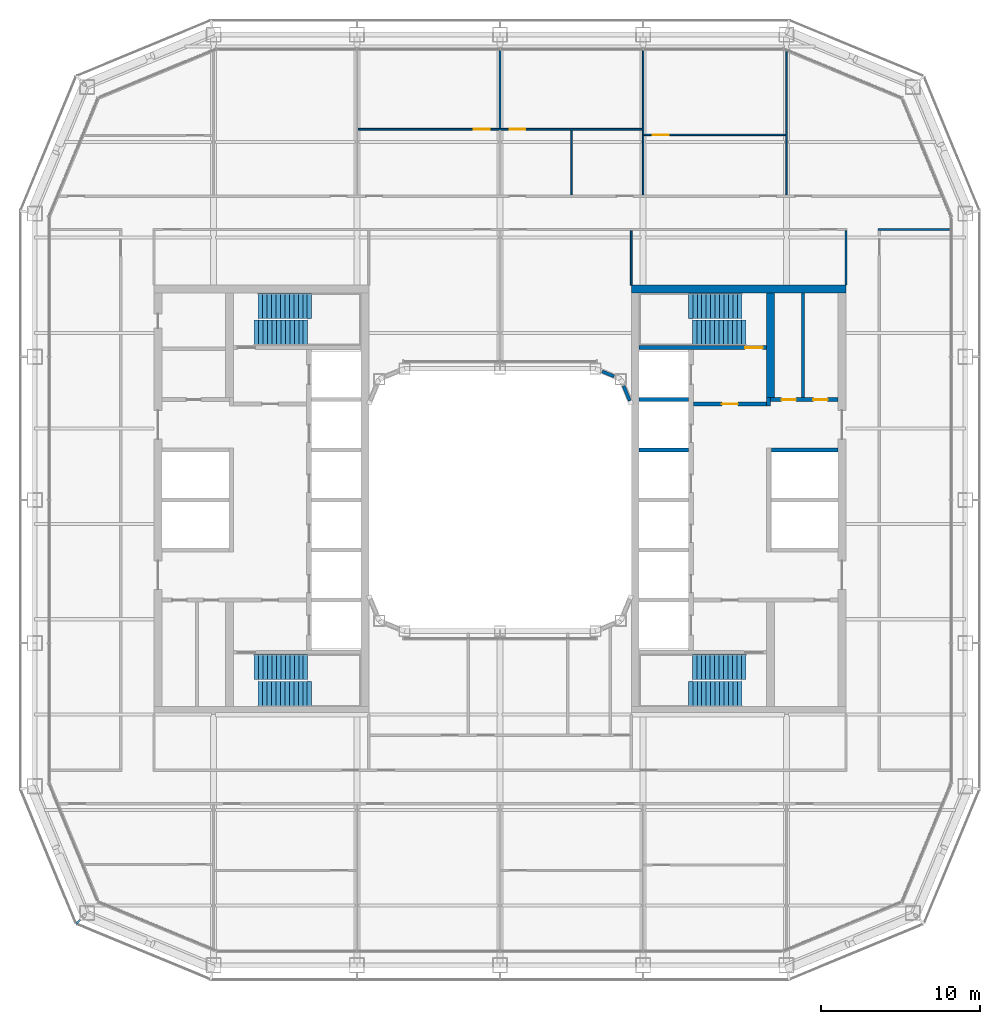
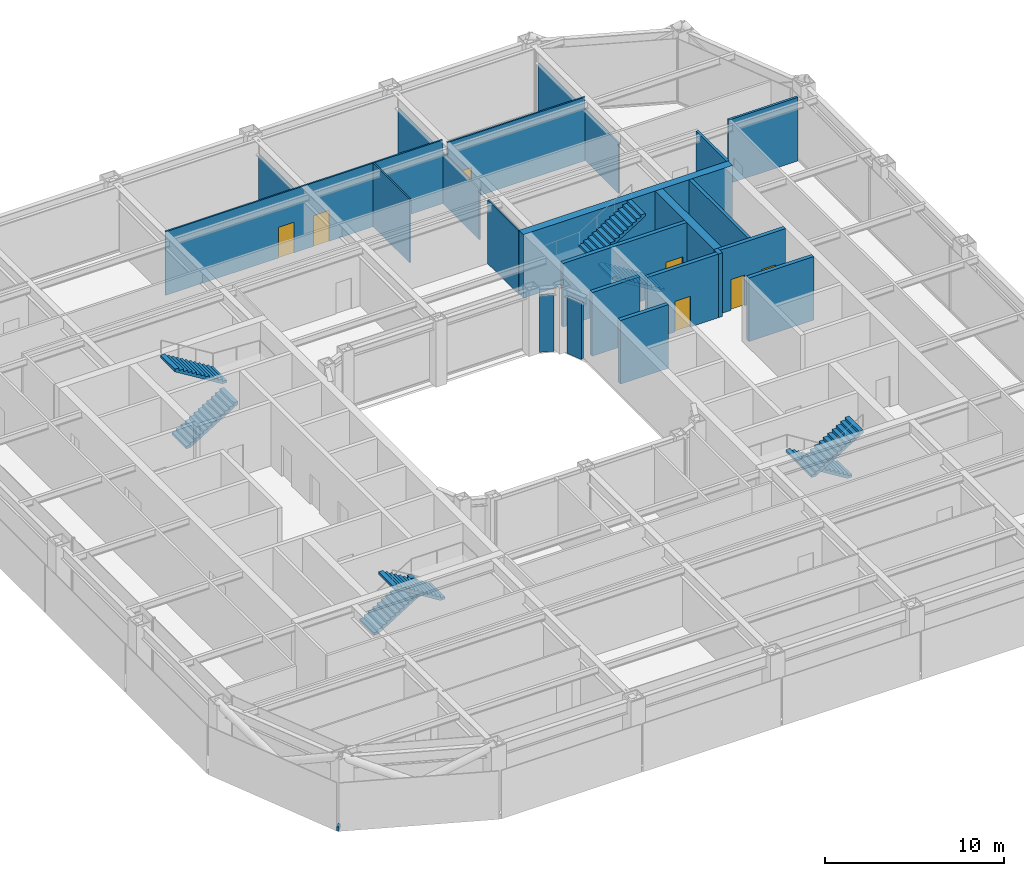
# One storey, part 14 of 21: 21 walls, 8 stair flights, 7 doors, 1 discrete accessory, 7 openings, 4 elements without a shape of their own.
"""IFC4 building model written with IfcOpenShell, lengths in metres."""

from ifc_helpers import new_model, si_unit, direction, frame, frame_2d, origin, origin_2d, place, context, subcontext, project, spatial, polyline, rectangle, outline, extrude, material, layer, layer_set, type_object, element, fill, aggregate, save


model = new_model("IFC4")

# Units and contexts
model_context = context("Model", 3, precision=1e-05, world=origin(), true_north=direction((0.0, 1.0)))
body_context = subcontext(model_context, "Body", "Model", "MODEL_VIEW")
ifc_project = project(units=[si_unit("LENGTHUNIT", "METRE"), si_unit("AREAUNIT", "SQUARE_METRE"), si_unit("VOLUMEUNIT", "CUBIC_METRE"), si_unit("PLANEANGLEUNIT", "RADIAN"), si_unit("MASSUNIT", "GRAM", prefix="KILO")], contexts=[model_context])

# Site, building, storey
site_placement = place(None, origin())
site = spatial("IfcSite", under=ifc_project, at=site_placement, CompositionType="ELEMENT")
building_placement = place(site_placement, origin())
building = spatial("IfcBuilding", under=site, at=building_placement, Name="Siwar Civic Tower", CompositionType="ELEMENT")
storey_placement = place(building_placement, frame((0.0, 0.0, 104.699951171875)))
storey = spatial("IfcBuildingStorey", under=building, at=storey_placement, Name="L22", CompositionType="ELEMENT", Elevation=104.699951171875)

# Wall
ifc_material_1 = material(Name="Gypsum board on steel studs", Category="steel")
ifc_layer_1 = layer(ifc_material_1, 0.199951171875)
ifc_layer_set_1 = layer_set([ifc_layer_1], Name="Gypsum board on steel studs")
wall_type_1 = type_object("IfcWallType", Name="CORE-PARTITION-200", PredefinedType="PARTITIONING", material=ifc_layer_set_1)
wall_1_placement = place(storey_placement, frame((19.050048828125, 6.425048828125, 0.0), z_axis=(0.0, 0.0, 1.0), x_axis=(0.0, 1.0, 0.0)))
element("IfcWall", 1, at=wall_1_placement, inside=storey, type_object=wall_type_1, Name="Core partition E", PredefinedType="PARTITIONING", context=body_context, shape_type="SweptSolid", body=[
    extrude(rectangle(XDim=6.574951171875, YDim=0.199951171875, at=frame_2d((3.28759765625, 0.0))), origin(), (0.0, 0.0, 1.0), 4.35009765625),
])

# Wall, opening, door
ifc_material_2 = material(Name="Concrete C60/75", Category="concrete")
ifc_layer_2 = layer(ifc_material_2, 0.25)
ifc_layer_set_2 = layer_set([ifc_layer_2], Name="Concrete C60/75")
wall_type_2 = type_object("IfcWallType", Name="CORE-WALL-RC250", PredefinedType="SHEAR", material=ifc_layer_set_2)
wall_2_placement = place(storey_placement, frame((12.14990234375, 6.02490234375, 0.0), z_axis=(0.0, 0.0, 1.0), x_axis=(1.0, 0.0, 0.0)))
wall_2 = element("IfcWall", 2, at=wall_2_placement, inside=storey, type_object=wall_type_2, Name="Core wall E", PredefinedType="SHEAR", context=body_context, shape_type="SweptSolid", body=[
    extrude(rectangle(XDim=4.60009765625, YDim=0.25, at=frame_2d((2.300048828125, 0.0))), origin(), (0.0, 0.0, 1.0), 4.35009765625),
])
opening_1_placement = place(wall_2_placement, frame((1.800048828125, 0.0, 0.0)))
opening_1 = element("IfcOpeningElement", 3, at=opening_1_placement, cuts=wall_2, Name="Opening L22-CE01", PredefinedType="OPENING", context=body_context, shape_type="SweptSolid", body=[
    extrude(rectangle(XDim=1.0, YDim=2.10009765625, at=frame_2d((0.5, 1.050048828125))), frame((0.0, 0.135009765625, 0.0), z_axis=(0.0, -1.0, 0.0), x_axis=(1.0, 0.0, 0.0)), (0.0, 0.0, 1.0), 0.27001953125),
])
ifc_material_3 = material(Name="Steel door leaf", Category="steel")
door_type_1 = type_object("IfcDoorType", Name="CORE-DOOR-FD30S", OperationType="SINGLE_SWING_LEFT", PredefinedType="DOOR", material=ifc_material_3)
door_1_placement = place(opening_1_placement, origin())
door_1 = element("IfcDoor", 4, at=door_1_placement, inside=storey, type_object=door_type_1, Name="Firefighting lobby door L22-CE01", OperationType="SINGLE_SWING_RIGHT", OverallHeight=2.10009765625, OverallWidth=1.0, PredefinedType="DOOR", context=body_context, shape_type="SweptSolid", body=[
    extrude(rectangle(XDim=1.0, YDim=2.10009765625, at=frame_2d((0.5, 1.050048828125))), frame((0.0, 0.02490234375, 0.0), z_axis=(0.0, -1.0, 0.0), x_axis=(1.0, 0.0, 0.0)), (0.0, 0.0, 1.0), 0.050048828125),
])
fill(opening_1, door_1)

# Wall
wall_3_placement = place(storey_placement, frame((16.875, 5.89990234375, 0.0), z_axis=(0.0, 0.0, 1.0), x_axis=(0.0, 1.0, 0.0)))
element("IfcWall", 5, at=wall_3_placement, inside=storey, type_object=wall_type_2, Name="Core wall E", PredefinedType="SHEAR", context=body_context, shape_type="SweptSolid", body=[
    extrude(rectangle(XDim=0.525146484375, YDim=0.25, at=frame_2d((0.2626953125, 0.0))), origin(), (0.0, 0.0, 1.0), 4.35009765625),
])

# Wall, openings, doors
wall_4_placement = place(storey_placement, frame((17.0, 6.300048828125, 0.0), z_axis=(0.0, 0.0, 1.0), x_axis=(1.0, 0.0, 0.0)))
wall_4 = element("IfcWall", 6, at=wall_4_placement, inside=storey, type_object=wall_type_2, Name="Core wall E", PredefinedType="SHEAR", context=body_context, shape_type="SweptSolid", body=[
    extrude(rectangle(XDim=4.25, YDim=0.25, at=frame_2d((2.125, 0.0))), origin(), (0.0, 0.0, 1.0), 4.35009765625),
])
opening_2_placement = place(wall_4_placement, frame((0.699951171875, 0.0, 0.0)))
opening_2 = element("IfcOpeningElement", 7, at=opening_2_placement, cuts=wall_4, Name="Opening L22-CE13", PredefinedType="OPENING", context=body_context, shape_type="SweptSolid", body=[
    extrude(rectangle(XDim=0.89990234375, YDim=2.10009765625, at=frame_2d((0.449951171875, 1.050048828125))), frame((0.0, 0.135009765625, 0.0), z_axis=(0.0, -1.0, 0.0), x_axis=(1.0, 0.0, 0.0)), (0.0, 0.0, 1.0), 0.27001953125),
])
opening_3_placement = place(wall_4_placement, frame((2.699951171875, 0.0, 0.0)))
opening_3 = element("IfcOpeningElement", 8, at=opening_3_placement, cuts=wall_4, Name="Opening L22-CE14", PredefinedType="OPENING", context=body_context, shape_type="SweptSolid", body=[
    extrude(rectangle(XDim=0.89990234375, YDim=2.10009765625, at=frame_2d((0.449951171875, 1.050048828125))), frame((0.0, 0.135009765625, 0.0), z_axis=(0.0, -1.0, 0.0), x_axis=(1.0, 0.0, 0.0)), (0.0, 0.0, 1.0), 0.27001953125),
])
ifc_material_4 = material(Name="Steel door leaf", Category="steel")
door_type_2 = type_object("IfcDoorType", Name="CORE-DOOR-ROOM", OperationType="SINGLE_SWING_LEFT", PredefinedType="DOOR", material=ifc_material_4)
door_2_placement = place(opening_2_placement, origin())
door_2 = element("IfcDoor", 9, at=door_2_placement, inside=storey, type_object=door_type_2, Name="Core room door L22-CE13", OperationType="SINGLE_SWING_LEFT", OverallHeight=2.10009765625, OverallWidth=0.89990234375, PredefinedType="DOOR", context=body_context, shape_type="SweptSolid", body=[
    extrude(rectangle(XDim=0.89990234375, YDim=2.10009765625, at=frame_2d((0.449951171875, 1.050048828125))), frame((0.0, 0.02490234375, 0.0), z_axis=(0.0, -1.0, 0.0), x_axis=(1.0, 0.0, 0.0)), (0.0, 0.0, 1.0), 0.050048828125),
])
fill(opening_2, door_2)
door_3_placement = place(opening_3_placement, origin())
door_3 = element("IfcDoor", 10, at=door_3_placement, inside=storey, type_object=door_type_2, Name="Core room door L22-CE14", OperationType="SINGLE_SWING_RIGHT", OverallHeight=2.10009765625, OverallWidth=0.89990234375, PredefinedType="DOOR", context=body_context, shape_type="SweptSolid", body=[
    extrude(rectangle(XDim=0.89990234375, YDim=2.10009765625, at=frame_2d((0.449951171875, 1.050048828125))), frame((0.0, 0.02490234375, 0.0), z_axis=(0.0, -1.0, 0.0), x_axis=(1.0, 0.0, 0.0)), (0.0, 0.0, 1.0), 0.050048828125),
])
fill(opening_3, door_3)

# Walls
wall_5_placement = place(storey_placement, frame((17.050048828125, 3.14990234375, 0.0), z_axis=(0.0, 0.0, 1.0), x_axis=(1.0, 0.0, 0.0)))
element("IfcWall", 11, at=wall_5_placement, inside=storey, type_object=wall_type_2, Name="Core wall E", PredefinedType="SHEAR", context=body_context, shape_type="SweptSolid", body=[
    extrude(rectangle(XDim=4.199951171875, YDim=0.25, at=frame_2d((2.10009765625, 0.0))), origin(), (0.0, 0.0, 1.0), 4.35009765625),
])
for number, where, z_axis, x_axis, name in (
    (12, (8.75, 3.14990234375, 0.0), (0.0, 0.0, 1.0), (1.0, 0.0, 0.0), "Core wall E"),
    (13, (8.75, 6.300048828125, 0.0), (0.0, 0.0, 1.0), (1.0, 0.0, 0.0), "Core wall E"),
):
    element("IfcWall", number, at=place(storey_placement, frame(where, z_axis=z_axis, x_axis=x_axis)), inside=storey, type_object=wall_type_2, Name=name, PredefinedType="SHEAR", context=body_context, shape_type="SweptSolid", body=[
        extrude(rectangle(XDim=3.10009765625, YDim=0.25, at=frame_2d((1.550048828125, 0.0))), origin(), (0.0, 0.0, 1.0), 4.35009765625),
    ])

# Wall, opening, door
wall_6_placement = place(storey_placement, frame((8.75, 9.574951171875, 0.0), z_axis=(0.0, 0.0, 1.0), x_axis=(1.0, 0.0, 0.0)))
wall_6 = element("IfcWall", 14, at=wall_6_placement, inside=storey, type_object=wall_type_2, Name="Core wall E", PredefinedType="SHEAR", context=body_context, shape_type="SweptSolid", body=[
    extrude(rectangle(XDim=8.0, YDim=0.25, at=frame_2d((4.0, 0.0))), origin(), (0.0, 0.0, 1.0), 4.35009765625),
])
opening_4_placement = place(wall_6_placement, frame((6.64990234375, 0.0, 0.0)))
opening_4 = element("IfcOpeningElement", 15, at=opening_4_placement, cuts=wall_6, Name="Opening L22-CE03", PredefinedType="OPENING", context=body_context, shape_type="SweptSolid", body=[
    extrude(rectangle(XDim=1.10009765625, YDim=2.10009765625, at=frame_2d((0.550048828125, 1.050048828125))), frame((0.0, 0.135009765625, 0.0), z_axis=(0.0, -1.0, 0.0), x_axis=(1.0, 0.0, 0.0)), (0.0, 0.0, 1.0), 0.27001953125),
])
ifc_material_5 = material(Name="Steel door leaf", Category="steel")
door_type_3 = type_object("IfcDoorType", Name="CORE-DOOR-FD60S", OperationType="SINGLE_SWING_LEFT", PredefinedType="DOOR", material=ifc_material_5)
door_4_placement = place(opening_4_placement, origin())
door_4 = element("IfcDoor", 16, at=door_4_placement, inside=storey, type_object=door_type_3, Name="Stair door L22-CE03", OperationType="SINGLE_SWING_LEFT", OverallHeight=2.10009765625, OverallWidth=1.10009765625, PredefinedType="DOOR", context=body_context, shape_type="SweptSolid", body=[
    extrude(rectangle(XDim=1.10009765625, YDim=2.10009765625, at=frame_2d((0.550048828125, 1.050048828125))), frame((0.0, 0.02490234375, 0.0), z_axis=(0.0, -1.0, 0.0), x_axis=(1.0, 0.0, 0.0)), (0.0, 0.0, 1.0), 0.050048828125),
])
fill(opening_4, door_4)

# Walls
ifc_material_6 = material(Name="Concrete C60/75", Category="concrete")
ifc_layer_3 = layer(ifc_material_6, 0.5)
ifc_layer_set_3 = layer_set([ifc_layer_3], Name="Concrete C60/75")
wall_type_3 = type_object("IfcWallType", Name="CORE-WALL-RC500", PredefinedType="SHEAR", material=ifc_layer_set_3)
wall_7_placement = place(storey_placement, frame((17.0, 6.425048828125, 0.0), z_axis=(0.0, 0.0, 1.0), x_axis=(0.0, 1.0, 0.0)))
element("IfcWall", 17, at=wall_7_placement, inside=storey, type_object=wall_type_3, Name="Core wall E", PredefinedType="SHEAR", context=body_context, shape_type="SweptSolid", body=[
    extrude(rectangle(XDim=6.574951171875, YDim=0.5, at=frame_2d((3.28759765625, 0.0))), origin(), (0.0, 0.0, 1.0), 4.35009765625),
])
wall_8_placement = place(storey_placement, frame((8.25, 13.25, 0.0), z_axis=(0.0, 0.0, 1.0), x_axis=(1.0, 0.0, 0.0)))
element("IfcWall", 18, at=wall_8_placement, inside=storey, type_object=wall_type_3, Name="Core wall E", PredefinedType="SHEAR", context=body_context, shape_type="SweptSolid", body=[
    extrude(rectangle(XDim=13.5, YDim=0.5, at=frame_2d((6.75, 0.0))), origin(), (0.0, 0.0, 1.0), 4.35009765625),
])
ifc_material_7 = material(Name="Gypsum board on steel studs", Category="steel")
ifc_layer_4 = layer(ifc_material_7, 0.14990234375)
ifc_layer_set_4 = layer_set([ifc_layer_4], Name="Gypsum board on steel studs")
wall_type_4 = type_object("IfcWallType", Name="CORRIDOR PARTITION 150 EI 30", PredefinedType="PARTITIONING", material=ifc_layer_set_4)
wall_9_placement = place(storey_placement, frame((23.77490234375, 17.0, 0.0), z_axis=(0.0, 0.0, 1.0), x_axis=(1.0, 0.0, 0.0)))
element("IfcWall", 19, at=wall_9_placement, inside=storey, type_object=wall_type_4, Name="L22/wall/P13", PredefinedType="PARTITIONING", context=body_context, shape_type="SweptSolid", body=[
    extrude(rectangle(XDim=4.485107421875, YDim=0.14990234375, at=frame_2d((2.24267578125, 0.0))), origin(), (0.0, 0.0, 1.0), 4.35009765625),
])
wall_10_placement = place(storey_placement, frame((21.75, 13.5, 0.0), z_axis=(0.0, 0.0, 1.0), x_axis=(0.0, 1.0, 0.0)))
element("IfcWall", 20, at=wall_10_placement, inside=storey, type_object=wall_type_4, Name="L22/wall/P43", PredefinedType="PARTITIONING", context=body_context, shape_type="SweptSolid", body=[
    extrude(rectangle(XDim=3.425048828125, YDim=0.14990234375, at=frame_2d((1.71240234375, 0.0))), origin(), (0.0, 0.0, 1.0), 4.35009765625),
])
ifc_material_8 = material(Name="Aluminium clad insulated panel", Category="aluminium")
ifc_layer_5 = layer(ifc_material_8, 0.199951171875)
ifc_layer_set_5 = layer_set([ifc_layer_5], Name="Aluminium clad insulated panel")
wall_type_5 = type_object("IfcWallType", Name="ENV-WALL-WELL", PredefinedType="STANDARD", material=ifc_layer_set_5)
wall_11_placement = place(storey_placement, frame((8.154296875, 6.23095703125, 0.0), z_axis=(0.0, 0.0, 1.0), x_axis=(-0.382769662028, 0.923843810301, 0.0)))
element("IfcWall", 21, at=wall_11_placement, inside=storey, type_object=wall_type_5, Name="Light well corner wall NE1", PredefinedType="STANDARD", context=body_context, shape_type="SweptSolid", body=[
    extrude(rectangle(XDim=1.014892578125, YDim=0.199951171875, at=frame_2d((0.50732421875, 0.0))), origin(), (0.0, 0.0, 1.0), 3.825927734375),
])
wall_12_placement = place(storey_placement, frame((7.16845703125, 7.765869140625, 0.0), z_axis=(0.0, 0.0, 1.0), x_axis=(-0.923817771127, 0.382832503518, 0.0)))
element("IfcWall", 22, at=wall_12_placement, inside=storey, type_object=wall_type_5, Name="Light well corner wall NE2", PredefinedType="STANDARD", context=body_context, shape_type="SweptSolid", body=[
    extrude(rectangle(XDim=0.807373046875, YDim=0.199951171875, at=frame_2d((0.40380859375, 0.0))), origin(), (0.0, 0.0, 1.0), 3.825927734375),
])

# Wall, opening, door
ifc_material_9 = material(Name="Gypsum board on steel studs", Category="steel")
ifc_layer_6 = layer(ifc_material_9, 0.10009765625)
ifc_layer_set_6 = layer_set([ifc_layer_6], Name="Gypsum board on steel studs")
wall_type_6 = type_object("IfcWallType", Name="PARTITION 100 GYPSUM", PredefinedType="PARTITIONING", material=ifc_layer_set_6)
wall_13_placement = place(storey_placement, frame((9.050048828125, 22.947021484375, 0.0), z_axis=(0.0, 0.0, 1.0), x_axis=(1.0, 0.0, 0.0)))
wall_13 = element("IfcWall", 23, at=wall_13_placement, inside=storey, type_object=wall_type_6, Name="L22/wall/P16", PredefinedType="PARTITIONING", context=body_context, shape_type="SweptSolid", body=[
    extrude(rectangle(XDim=8.89990234375, YDim=0.10009765625, at=frame_2d((4.449951171875, 0.0))), origin(), (0.0, 0.0, 1.0), 4.35009765625),
])
opening_5_placement = place(wall_13_placement, frame((0.550048828125, 0.0, 0.0)))
opening_5 = element("IfcOpeningElement", 24, at=opening_5_placement, cuts=wall_13, Name="Opening D2", PredefinedType="OPENING", context=body_context, shape_type="SweptSolid", body=[
    extrude(rectangle(XDim=1.0, YDim=2.10009765625, at=frame_2d((0.5, 1.050048828125))), frame((0.0, 0.06005859375, 0.0), z_axis=(0.0, -1.0, 0.0), x_axis=(1.0, 0.0, 0.0)), (0.0, 0.0, 1.0), 0.1201171875),
])
ifc_material_10 = material(Name="Timber, painted", Category="wood")
door_type_4 = type_object("IfcDoorType", Name="DOOR 1000 X 2100", OperationType="SINGLE_SWING_LEFT", PredefinedType="DOOR", material=ifc_material_10)
door_5_placement = place(opening_5_placement, origin())
door_5 = element("IfcDoor", 25, at=door_5_placement, inside=storey, type_object=door_type_4, Name="L22-D08", OperationType="SINGLE_SWING_RIGHT", OverallHeight=2.10009765625, OverallWidth=1.0, PredefinedType="DOOR", context=body_context, shape_type="SweptSolid", body=[
    extrude(rectangle(XDim=1.0, YDim=2.10009765625, at=frame_2d((0.5, 1.050048828125))), frame((0.0, 0.02490234375, 0.0), z_axis=(0.0, -1.0, 0.0), x_axis=(1.0, 0.0, 0.0)), (0.0, 0.0, 1.0), 0.050048828125),
])
fill(opening_5, door_5)

# Wall, openings, doors
wall_14_placement = place(storey_placement, frame((-8.949951171875, 23.300048828125, 0.0), z_axis=(0.0, 0.0, 1.0), x_axis=(1.0, 0.0, 0.0)))
wall_14 = element("IfcWall", 26, at=wall_14_placement, inside=storey, type_object=wall_type_6, Name="L22/wall/P17", PredefinedType="PARTITIONING", context=body_context, shape_type="SweptSolid", body=[
    extrude(rectangle(XDim=17.89990234375, YDim=0.10009765625, at=frame_2d((8.949951171875, 0.0))), origin(), (0.0, 0.0, 1.0), 4.35009765625),
])
opening_6_placement = place(wall_14_placement, frame((7.300048828125, 0.0, 0.0)))
opening_6 = element("IfcOpeningElement", 27, at=opening_6_placement, cuts=wall_14, Name="Opening D2", PredefinedType="OPENING", context=body_context, shape_type="SweptSolid", body=[
    extrude(rectangle(XDim=1.0, YDim=2.10009765625, at=frame_2d((0.5, 1.050048828125))), frame((0.0, 0.06005859375, 0.0), z_axis=(0.0, -1.0, 0.0), x_axis=(1.0, 0.0, 0.0)), (0.0, 0.0, 1.0), 0.1201171875),
])
opening_7_placement = place(wall_14_placement, frame((9.550048828125, 0.0, 0.0)))
opening_7 = element("IfcOpeningElement", 28, at=opening_7_placement, cuts=wall_14, Name="Opening D2", PredefinedType="OPENING", context=body_context, shape_type="SweptSolid", body=[
    extrude(rectangle(XDim=1.0, YDim=2.10009765625, at=frame_2d((0.5, 1.050048828125))), frame((0.0, 0.06005859375, 0.0), z_axis=(0.0, -1.0, 0.0), x_axis=(1.0, 0.0, 0.0)), (0.0, 0.0, 1.0), 0.1201171875),
])
door_6_placement = place(opening_6_placement, origin())
door_6 = element("IfcDoor", 29, at=door_6_placement, inside=storey, type_object=door_type_4, Name="L22-D03", OperationType="SINGLE_SWING_LEFT", OverallHeight=2.10009765625, OverallWidth=1.0, PredefinedType="DOOR", context=body_context, shape_type="SweptSolid", body=[
    extrude(rectangle(XDim=1.0, YDim=2.10009765625, at=frame_2d((0.5, 1.050048828125))), frame((0.0, 0.02490234375, 0.0), z_axis=(0.0, -1.0, 0.0), x_axis=(1.0, 0.0, 0.0)), (0.0, 0.0, 1.0), 0.050048828125),
])
fill(opening_6, door_6)
door_7_placement = place(opening_7_placement, origin())
door_7 = element("IfcDoor", 30, at=door_7_placement, inside=storey, type_object=door_type_4, Name="L22-D06", OperationType="SINGLE_SWING_RIGHT", OverallHeight=2.10009765625, OverallWidth=1.0, PredefinedType="DOOR", context=body_context, shape_type="SweptSolid", body=[
    extrude(rectangle(XDim=1.0, YDim=2.10009765625, at=frame_2d((0.5, 1.050048828125))), frame((0.0, 0.02490234375, 0.0), z_axis=(0.0, -1.0, 0.0), x_axis=(1.0, 0.0, 0.0)), (0.0, 0.0, 1.0), 0.050048828125),
])
fill(opening_7, door_7)

# Walls
wall_15_placement = place(storey_placement, frame((0.0, 23.35009765625, 0.0), z_axis=(0.0, 0.0, 1.0), x_axis=(0.0, 1.0, 0.0)))
element("IfcWall", 31, at=wall_15_placement, inside=storey, type_object=wall_type_6, Name="L22/wall/P31", PredefinedType="PARTITIONING", context=body_context, shape_type="SweptSolid", body=[
    extrude(rectangle(XDim=4.909912109375, YDim=0.10009765625, at=frame_2d((2.455078125, 0.0))), origin(), (0.0, 0.0, 1.0), 3.449951171875),
])
wall_16_placement = place(storey_placement, frame((4.5, 19.175048828125, 0.0), z_axis=(0.0, 0.0, 1.0), x_axis=(0.0, 1.0, 0.0)))
element("IfcWall", 32, at=wall_16_placement, inside=storey, type_object=wall_type_6, Name="L22/wall/P33", PredefinedType="PARTITIONING", context=body_context, shape_type="SweptSolid", body=[
    extrude(rectangle(XDim=4.074951171875, YDim=0.10009765625, at=frame_2d((2.03759765625, 0.0))), origin(), (0.0, 0.0, 1.0), 4.35009765625),
])
wall_17_placement = place(storey_placement, frame((8.25, 13.5, 0.0), z_axis=(0.0, 0.0, 1.0), x_axis=(0.0, 1.0, 0.0)))
element("IfcWall", 33, at=wall_17_placement, inside=storey, type_object=wall_type_6, Name="L22/wall/P35", PredefinedType="PARTITIONING", context=body_context, shape_type="SweptSolid", body=[
    extrude(rectangle(XDim=3.425048828125, YDim=0.10009765625, at=frame_2d((1.71240234375, 0.0))), origin(), (0.0, 0.0, 1.0), 4.35009765625),
])
wall_18_placement = place(storey_placement, frame((9.0, 19.175048828125, 0.0), z_axis=(0.0, 0.0, 1.0), x_axis=(0.0, 1.0, 0.0)))
element("IfcWall", 34, at=wall_18_placement, inside=storey, type_object=wall_type_6, Name="L22/wall/P39", PredefinedType="PARTITIONING", context=body_context, shape_type="SweptSolid", body=[
    extrude(rectangle(XDim=9.0849609375, YDim=0.10009765625, at=frame_2d((4.54248046875, 0.0))), origin(), (0.0, 0.0, 1.0), 3.449951171875),
])
wall_19_placement = place(storey_placement, frame((18.0, 19.175048828125, 0.0), z_axis=(0.0, 0.0, 1.0), x_axis=(0.0, 1.0, 0.0)))
element("IfcWall", 35, at=wall_19_placement, inside=storey, type_object=wall_type_6, Name="L22/wall/P41", PredefinedType="PARTITIONING", context=body_context, shape_type="SweptSolid", body=[
    extrude(rectangle(XDim=9.0029296875, YDim=0.10009765625, at=frame_2d((4.50146484375, 0.0))), origin(), (0.0, 0.0, 1.0), 3.449951171875),
])

# Stair, stair flights
ifc_material_11 = material(Name="Concrete C40/50", Category="concrete")
stair_type = type_object("IfcStairType", Name="CORE-STAIR", PredefinedType="TWO_STRAIGHT_RUN_STAIR", material=ifc_material_11)
stair_1_placement = place(storey_placement, origin())
stair_1 = element("IfcStair", 36, at=stair_1_placement, inside=storey, type_object=stair_type, Name="Exit stair ST1", PredefinedType="TWO_STRAIGHT_RUN_STAIR")
ifc_material_12 = material(Name="Concrete C40/50", Category="concrete")
stair_flight_type = type_object("IfcStairFlightType", Name="CORE-STAIR-FLIGHT", PredefinedType="STRAIGHT", material=ifc_material_12)
stair_flight_1_placement = place(storey_placement, frame((-15.449951171875, 10.5, 0.0), z_axis=(0.0, 0.0, 1.0), x_axis=(1.0, 0.0, 0.0)))
stair_flight_1 = element("IfcStairFlight", 37, at=stair_flight_1_placement, type_object=stair_flight_type, Name="ST1 flight 1", NumberOfRisers=13, NumberOfTreads=12, PredefinedType="STRAIGHT", RiserHeight=0.173076923, TreadLength=0.28, context=body_context, shape_type="SweptSolid", body=[
    extrude(outline(polyline([(0.0, 0.0), (0.0, 0.173095703125), (0.280029296875, 0.173095703125), (0.280029296875, 0.34619140625), (0.56005859375, 0.34619140625), (0.56005859375, 0.519287109375), (0.840087890625, 0.519287109375), (0.840087890625, 0.6923828125), (1.1201171875, 0.6923828125), (1.1201171875, 0.865478515625), (1.39990234375, 0.865478515625), (1.39990234375, 1.03857421875), (1.679931640625, 1.03857421875), (1.679931640625, 1.21142578125), (1.9599609375, 1.21142578125), (1.9599609375, 1.384521484375), (2.239990234375, 1.384521484375), (2.239990234375, 1.5576171875), (2.52001953125, 1.5576171875), (2.52001953125, 1.730712890625), (2.800048828125, 1.730712890625), (2.800048828125, 1.90380859375), (3.080078125, 1.90380859375), (3.080078125, 2.076904296875), (3.360107421875, 2.076904296875), (3.360107421875, 2.25), (3.360107421875, 1.900634765625), (0.28515625, 0.0), (0.0, 0.0)])), frame((0.0, 0.800048828125, 0.0), z_axis=(0.0, -1.0, 0.0), x_axis=(1.0, 0.0, 0.0)), (0.0, 0.0, 1.0), 1.60009765625),
])
stair_flight_2_placement = place(storey_placement, frame((-11.840087890625, 12.199951171875, 2.25), z_axis=(0.0, 0.0, 1.0), x_axis=(-1.0, 0.0, 0.0)))
stair_flight_2 = element("IfcStairFlight", 38, at=stair_flight_2_placement, type_object=stair_flight_type, Name="ST1 flight 2", NumberOfRisers=13, NumberOfTreads=12, PredefinedType="STRAIGHT", RiserHeight=0.173076923, TreadLength=0.28, context=body_context, shape_type="SweptSolid", body=[
    extrude(outline(polyline([(0.0, 0.0), (0.0, 0.173095703125), (0.280029296875, 0.173095703125), (0.280029296875, 0.34619140625), (0.56005859375, 0.34619140625), (0.56005859375, 0.519287109375), (0.840087890625, 0.519287109375), (0.840087890625, 0.6923828125), (1.1201171875, 0.6923828125), (1.1201171875, 0.865478515625), (1.39990234375, 0.865478515625), (1.39990234375, 1.03857421875), (1.679931640625, 1.03857421875), (1.679931640625, 1.21142578125), (1.9599609375, 1.21142578125), (1.9599609375, 1.384521484375), (2.239990234375, 1.384521484375), (2.239990234375, 1.5576171875), (2.52001953125, 1.5576171875), (2.52001953125, 1.730712890625), (2.800048828125, 1.730712890625), (2.800048828125, 1.90380859375), (3.080078125, 1.90380859375), (3.080078125, 2.076904296875), (3.360107421875, 2.076904296875), (3.360107421875, 2.25), (3.360107421875, 1.900634765625), (0.28515625, 0.0), (0.0, 0.0)])), frame((0.0, 0.800048828125, 0.0), z_axis=(0.0, -1.0, 0.0), x_axis=(1.0, 0.0, 0.0)), (0.0, 0.0, 1.0), 1.60009765625),
])
aggregate(stair_1, [stair_flight_1, stair_flight_2])

stair_2_placement = place(storey_placement, origin())
stair_2 = element("IfcStair", 39, at=stair_2_placement, inside=storey, type_object=stair_type, Name="Exit stair ST2", PredefinedType="TWO_STRAIGHT_RUN_STAIR")
stair_flight_3_placement = place(storey_placement, frame((-15.449951171875, -10.5, 0.0), z_axis=(0.0, 0.0, 1.0), x_axis=(1.0, 0.0, 0.0)))
stair_flight_3 = element("IfcStairFlight", 40, at=stair_flight_3_placement, type_object=stair_flight_type, Name="ST2 flight 1", NumberOfRisers=13, NumberOfTreads=12, PredefinedType="STRAIGHT", RiserHeight=0.173076923, TreadLength=0.28, context=body_context, shape_type="SweptSolid", body=[
    extrude(outline(polyline([(0.0, 0.0), (0.0, 0.173095703125), (0.280029296875, 0.173095703125), (0.280029296875, 0.34619140625), (0.56005859375, 0.34619140625), (0.56005859375, 0.519287109375), (0.840087890625, 0.519287109375), (0.840087890625, 0.6923828125), (1.1201171875, 0.6923828125), (1.1201171875, 0.865478515625), (1.39990234375, 0.865478515625), (1.39990234375, 1.03857421875), (1.679931640625, 1.03857421875), (1.679931640625, 1.21142578125), (1.9599609375, 1.21142578125), (1.9599609375, 1.384521484375), (2.239990234375, 1.384521484375), (2.239990234375, 1.5576171875), (2.52001953125, 1.5576171875), (2.52001953125, 1.730712890625), (2.800048828125, 1.730712890625), (2.800048828125, 1.90380859375), (3.080078125, 1.90380859375), (3.080078125, 2.076904296875), (3.360107421875, 2.076904296875), (3.360107421875, 2.25), (3.360107421875, 1.900634765625), (0.28515625, 0.0), (0.0, 0.0)])), frame((0.0, 0.800048828125, 0.0), z_axis=(0.0, -1.0, 0.0), x_axis=(1.0, 0.0, 0.0)), (0.0, 0.0, 1.0), 1.60009765625),
])
stair_flight_4_placement = place(storey_placement, frame((-11.840087890625, -12.199951171875, 2.25), z_axis=(0.0, 0.0, 1.0), x_axis=(-1.0, 0.0, 0.0)))
stair_flight_4 = element("IfcStairFlight", 41, at=stair_flight_4_placement, type_object=stair_flight_type, Name="ST2 flight 2", NumberOfRisers=13, NumberOfTreads=12, PredefinedType="STRAIGHT", RiserHeight=0.173076923, TreadLength=0.28, context=body_context, shape_type="SweptSolid", body=[
    extrude(outline(polyline([(0.0, 0.0), (0.0, 0.173095703125), (0.280029296875, 0.173095703125), (0.280029296875, 0.34619140625), (0.56005859375, 0.34619140625), (0.56005859375, 0.519287109375), (0.840087890625, 0.519287109375), (0.840087890625, 0.6923828125), (1.1201171875, 0.6923828125), (1.1201171875, 0.865478515625), (1.39990234375, 0.865478515625), (1.39990234375, 1.03857421875), (1.679931640625, 1.03857421875), (1.679931640625, 1.21142578125), (1.9599609375, 1.21142578125), (1.9599609375, 1.384521484375), (2.239990234375, 1.384521484375), (2.239990234375, 1.5576171875), (2.52001953125, 1.5576171875), (2.52001953125, 1.730712890625), (2.800048828125, 1.730712890625), (2.800048828125, 1.90380859375), (3.080078125, 1.90380859375), (3.080078125, 2.076904296875), (3.360107421875, 2.076904296875), (3.360107421875, 2.25), (3.360107421875, 1.900634765625), (0.28515625, 0.0), (0.0, 0.0)])), frame((0.0, 0.800048828125, 0.0), z_axis=(0.0, -1.0, 0.0), x_axis=(1.0, 0.0, 0.0)), (0.0, 0.0, 1.0), 1.60009765625),
])
aggregate(stair_2, [stair_flight_3, stair_flight_4])

stair_3_placement = place(storey_placement, origin())
stair_3 = element("IfcStair", 42, at=stair_3_placement, inside=storey, type_object=stair_type, Name="Exit stair ST3", PredefinedType="TWO_STRAIGHT_RUN_STAIR")
stair_flight_5_placement = place(storey_placement, frame((15.449951171875, 10.5, 0.0), z_axis=(0.0, 0.0, 1.0), x_axis=(-1.0, 0.0, 0.0)))
stair_flight_5 = element("IfcStairFlight", 43, at=stair_flight_5_placement, type_object=stair_flight_type, Name="ST3 flight 1", NumberOfRisers=13, NumberOfTreads=12, PredefinedType="STRAIGHT", RiserHeight=0.173076923, TreadLength=0.28, context=body_context, shape_type="SweptSolid", body=[
    extrude(outline(polyline([(0.0, 0.0), (0.0, 0.173095703125), (0.280029296875, 0.173095703125), (0.280029296875, 0.34619140625), (0.56005859375, 0.34619140625), (0.56005859375, 0.519287109375), (0.840087890625, 0.519287109375), (0.840087890625, 0.6923828125), (1.1201171875, 0.6923828125), (1.1201171875, 0.865478515625), (1.39990234375, 0.865478515625), (1.39990234375, 1.03857421875), (1.679931640625, 1.03857421875), (1.679931640625, 1.21142578125), (1.9599609375, 1.21142578125), (1.9599609375, 1.384521484375), (2.239990234375, 1.384521484375), (2.239990234375, 1.5576171875), (2.52001953125, 1.5576171875), (2.52001953125, 1.730712890625), (2.800048828125, 1.730712890625), (2.800048828125, 1.90380859375), (3.080078125, 1.90380859375), (3.080078125, 2.076904296875), (3.360107421875, 2.076904296875), (3.360107421875, 2.25), (3.360107421875, 1.900634765625), (0.28515625, 0.0), (0.0, 0.0)])), frame((0.0, 0.800048828125, 0.0), z_axis=(0.0, -1.0, 0.0), x_axis=(1.0, 0.0, 0.0)), (0.0, 0.0, 1.0), 1.60009765625),
])
stair_flight_6_placement = place(storey_placement, frame((11.840087890625, 12.199951171875, 2.25), z_axis=(0.0, 0.0, 1.0), x_axis=(1.0, 0.0, 0.0)))
stair_flight_6 = element("IfcStairFlight", 44, at=stair_flight_6_placement, type_object=stair_flight_type, Name="ST3 flight 2", NumberOfRisers=13, NumberOfTreads=12, PredefinedType="STRAIGHT", RiserHeight=0.173076923, TreadLength=0.28, context=body_context, shape_type="SweptSolid", body=[
    extrude(outline(polyline([(0.0, 0.0), (0.0, 0.173095703125), (0.280029296875, 0.173095703125), (0.280029296875, 0.34619140625), (0.56005859375, 0.34619140625), (0.56005859375, 0.519287109375), (0.840087890625, 0.519287109375), (0.840087890625, 0.6923828125), (1.1201171875, 0.6923828125), (1.1201171875, 0.865478515625), (1.39990234375, 0.865478515625), (1.39990234375, 1.03857421875), (1.679931640625, 1.03857421875), (1.679931640625, 1.21142578125), (1.9599609375, 1.21142578125), (1.9599609375, 1.384521484375), (2.239990234375, 1.384521484375), (2.239990234375, 1.5576171875), (2.52001953125, 1.5576171875), (2.52001953125, 1.730712890625), (2.800048828125, 1.730712890625), (2.800048828125, 1.90380859375), (3.080078125, 1.90380859375), (3.080078125, 2.076904296875), (3.360107421875, 2.076904296875), (3.360107421875, 2.25), (3.360107421875, 1.900634765625), (0.28515625, 0.0), (0.0, 0.0)])), frame((0.0, 0.800048828125, 0.0), z_axis=(0.0, -1.0, 0.0), x_axis=(1.0, 0.0, 0.0)), (0.0, 0.0, 1.0), 1.60009765625),
])
aggregate(stair_3, [stair_flight_5, stair_flight_6])

stair_4_placement = place(storey_placement, origin())
stair_4 = element("IfcStair", 45, at=stair_4_placement, inside=storey, type_object=stair_type, Name="Exit stair ST4", PredefinedType="TWO_STRAIGHT_RUN_STAIR")
stair_flight_7_placement = place(storey_placement, frame((15.449951171875, -10.5, 0.0), z_axis=(0.0, 0.0, 1.0), x_axis=(-1.0, 0.0, 0.0)))
stair_flight_7 = element("IfcStairFlight", 46, at=stair_flight_7_placement, type_object=stair_flight_type, Name="ST4 flight 1", NumberOfRisers=13, NumberOfTreads=12, PredefinedType="STRAIGHT", RiserHeight=0.173076923, TreadLength=0.28, context=body_context, shape_type="SweptSolid", body=[
    extrude(outline(polyline([(0.0, 0.0), (0.0, 0.173095703125), (0.280029296875, 0.173095703125), (0.280029296875, 0.34619140625), (0.56005859375, 0.34619140625), (0.56005859375, 0.519287109375), (0.840087890625, 0.519287109375), (0.840087890625, 0.6923828125), (1.1201171875, 0.6923828125), (1.1201171875, 0.865478515625), (1.39990234375, 0.865478515625), (1.39990234375, 1.03857421875), (1.679931640625, 1.03857421875), (1.679931640625, 1.21142578125), (1.9599609375, 1.21142578125), (1.9599609375, 1.384521484375), (2.239990234375, 1.384521484375), (2.239990234375, 1.5576171875), (2.52001953125, 1.5576171875), (2.52001953125, 1.730712890625), (2.800048828125, 1.730712890625), (2.800048828125, 1.90380859375), (3.080078125, 1.90380859375), (3.080078125, 2.076904296875), (3.360107421875, 2.076904296875), (3.360107421875, 2.25), (3.360107421875, 1.900634765625), (0.28515625, 0.0), (0.0, 0.0)])), frame((0.0, 0.800048828125, 0.0), z_axis=(0.0, -1.0, 0.0), x_axis=(1.0, 0.0, 0.0)), (0.0, 0.0, 1.0), 1.60009765625),
])
stair_flight_8_placement = place(storey_placement, frame((11.840087890625, -12.199951171875, 2.25), z_axis=(0.0, 0.0, 1.0), x_axis=(1.0, 0.0, 0.0)))
stair_flight_8 = element("IfcStairFlight", 47, at=stair_flight_8_placement, type_object=stair_flight_type, Name="ST4 flight 2", NumberOfRisers=13, NumberOfTreads=12, PredefinedType="STRAIGHT", RiserHeight=0.173076923, TreadLength=0.28, context=body_context, shape_type="SweptSolid", body=[
    extrude(outline(polyline([(0.0, 0.0), (0.0, 0.173095703125), (0.280029296875, 0.173095703125), (0.280029296875, 0.34619140625), (0.56005859375, 0.34619140625), (0.56005859375, 0.519287109375), (0.840087890625, 0.519287109375), (0.840087890625, 0.6923828125), (1.1201171875, 0.6923828125), (1.1201171875, 0.865478515625), (1.39990234375, 0.865478515625), (1.39990234375, 1.03857421875), (1.679931640625, 1.03857421875), (1.679931640625, 1.21142578125), (1.9599609375, 1.21142578125), (1.9599609375, 1.384521484375), (2.239990234375, 1.384521484375), (2.239990234375, 1.5576171875), (2.52001953125, 1.5576171875), (2.52001953125, 1.730712890625), (2.800048828125, 1.730712890625), (2.800048828125, 1.90380859375), (3.080078125, 1.90380859375), (3.080078125, 2.076904296875), (3.360107421875, 2.076904296875), (3.360107421875, 2.25), (3.360107421875, 1.900634765625), (0.28515625, 0.0), (0.0, 0.0)])), frame((0.0, 0.800048828125, 0.0), z_axis=(0.0, -1.0, 0.0), x_axis=(1.0, 0.0, 0.0)), (0.0, 0.0, 1.0), 1.60009765625),
])
aggregate(stair_4, [stair_flight_7, stair_flight_8])

# Discrete accessory
ifc_material_13 = material(Name="Stainless steel 316", Category="steel")
discrete_accessory_type = type_object("IfcDiscreteAccessoryType", Name="ENV-BRACKET", PredefinedType="BRACKET", material=ifc_material_13)
discrete_accessory_placement = place(storey_placement, frame((-26.517333984375, -26.517333984375, -0.14990234375), z_axis=(0.0, 0.0, 1.0), x_axis=(-0.707106781187, -0.707106781187, 0.0)))
element("IfcDiscreteAccessory", 48, at=discrete_accessory_placement, inside=storey, type_object=discrete_accessory_type, Name="Bracket outer skin joint V11", PredefinedType="BRACKET", context=body_context, shape_type="SweptSolid", body=[
    extrude(rectangle(XDim=0.357666015625, YDim=0.12939453125, at=origin_2d()), origin(), (0.0, 0.0, 1.0), 0.300048828125),
])

save(model, "model.ifc")
